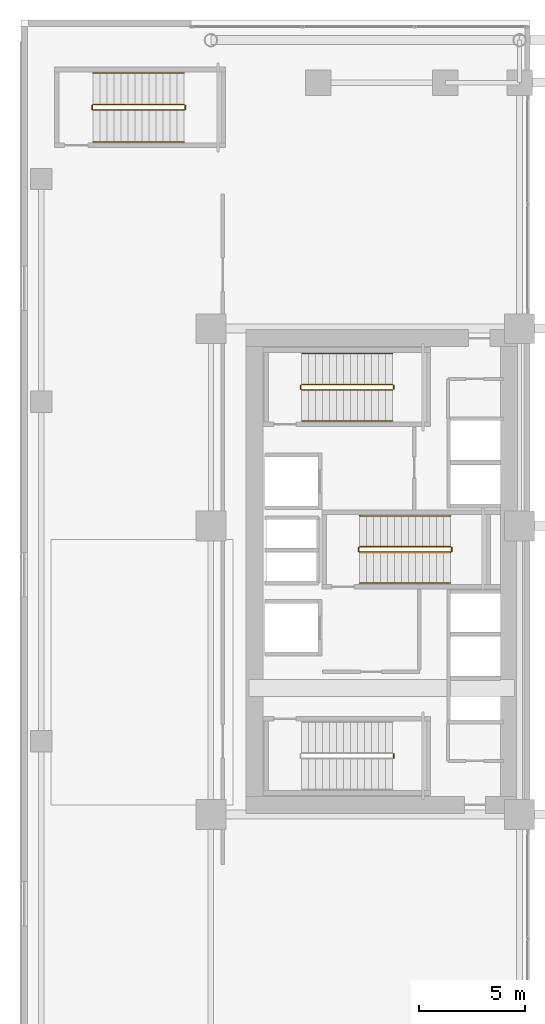
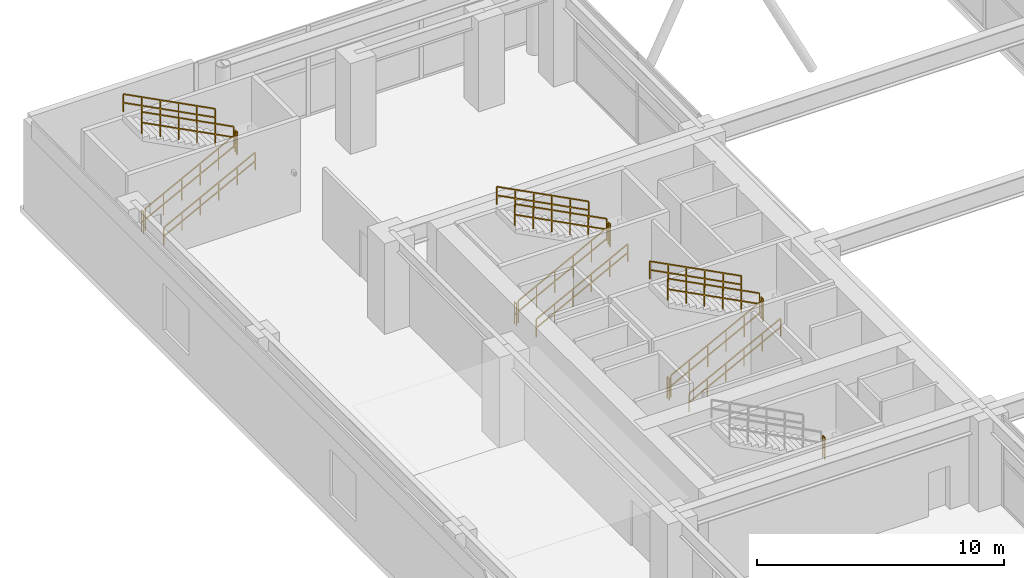
# One storey, part 28 of 30: 19 railings.
"""IFC4 building model written with IfcOpenShell, lengths in metres."""

from ifc_helpers import new_model, si_unit, direction, frame, origin, origin_2d, place, context, subcontext, project, spatial, rectangle, extrude, material, type_object, element, save


model = new_model("IFC4")

# Units and contexts
model_context = context("Model", 3, precision=1e-05, world=origin(), true_north=direction((0.0, 1.0)))
body_context = subcontext(model_context, "Body", "Model", "MODEL_VIEW")
ifc_project = project(units=[si_unit("LENGTHUNIT", "METRE"), si_unit("AREAUNIT", "SQUARE_METRE"), si_unit("VOLUMEUNIT", "CUBIC_METRE"), si_unit("PLANEANGLEUNIT", "RADIAN"), si_unit("MASSUNIT", "GRAM", prefix="KILO")], contexts=[model_context])

# Site, building, storey
site_placement = place(None, origin())
site = spatial("IfcSite", under=ifc_project, at=site_placement, CompositionType="ELEMENT")
building_placement = place(site_placement, origin())
building = spatial("IfcBuilding", under=site, at=building_placement, Name="Ocotamira Hotel", CompositionType="ELEMENT")
storey_placement = place(building_placement, frame((0.0, 0.0, 19.199951171875)))
storey = spatial("IfcBuildingStorey", under=building, at=storey_placement, Name="L04", CompositionType="ELEMENT", Elevation=19.199951171875)

# Railings
ifc_material_1 = material(Name="Brushed stainless steel handrail", Category="steel")
railing_type_1 = type_object("IfcRailingType", Name="RL-HAND-900", PredefinedType="HANDRAIL", material=ifc_material_1)
railing_1_placement = place(storey_placement, frame((13.22998046875, 33.10009765625, 0.343017578125)))
element("IfcRailing", 1, at=railing_1_placement, inside=storey, type_object=railing_type_1, Name="L04 ST-2 stair handrail 1", PredefinedType="HANDRAIL", context=body_context, shape_type="SweptSolid", body=[
    extrude(rectangle(XDim=0.048095703125, YDim=0.048095703125, at=origin_2d()), frame((0.0, 0.0, 0.8759765625), z_axis=(0.887411858541, 0.0, 0.46097743255), x_axis=(0.0, 1.0, 0.0)), (0.0, 0.0, 1.0), 4.834228515625),
    extrude(rectangle(XDim=0.048095703125, YDim=0.048095703125, at=origin_2d()), frame((0.0, 0.0, 0.449951171875), z_axis=(0.887411858541, 0.0, 0.46097743255), x_axis=(0.0, 1.0, 0.0)), (0.0, 0.0, 1.0), 4.834228515625),
    extrude(rectangle(XDim=0.0419921875, YDim=0.0419921875, at=origin_2d()), origin(), (0.0, 0.0, 1.0), 0.851806640625),
    extrude(rectangle(XDim=0.0419921875, YDim=0.0419921875, at=origin_2d()), frame((0.85791015625, 0.0, 0.44580078125)), (0.0, 0.0, 1.0), 0.851806640625),
    extrude(rectangle(XDim=0.0419921875, YDim=0.0419921875, at=origin_2d()), frame((1.716064453125, 0.0, 0.891357421875)), (0.0, 0.0, 1.0), 0.851806640625),
    extrude(rectangle(XDim=0.0419921875, YDim=0.0419921875, at=origin_2d()), frame((2.573974609375, 0.0, 1.337158203125)), (0.0, 0.0, 1.0), 0.851806640625),
    extrude(rectangle(XDim=0.0419921875, YDim=0.0419921875, at=origin_2d()), frame((3.43212890625, 0.0, 1.78271484375)), (0.0, 0.0, 1.0), 0.851806640625),
    extrude(rectangle(XDim=0.0419921875, YDim=0.0419921875, at=origin_2d()), frame((4.2900390625, 0.0, 2.228515625)), (0.0, 0.0, 1.0), 0.851806640625),
])
railing_2_placement = place(storey_placement, frame((17.52001953125, 36.280029296875, 2.742919921875)))
element("IfcRailing", 2, at=railing_2_placement, inside=storey, type_object=railing_type_1, Name="L04 ST-2 stair handrail 2", PredefinedType="HANDRAIL", context=body_context, shape_type="SweptSolid", body=[
    extrude(rectangle(XDim=0.048095703125, YDim=0.048095703125, at=origin_2d()), frame((0.0, 0.0, 0.8759765625), z_axis=(-0.887411858541, 0.0, 0.46097743255), x_axis=(0.0, -1.0, 0.0)), (0.0, 0.0, 1.0), 4.834228515625),
    extrude(rectangle(XDim=0.048095703125, YDim=0.048095703125, at=origin_2d()), frame((0.0, 0.0, 0.449951171875), z_axis=(-0.887411858541, 0.0, 0.46097743255), x_axis=(0.0, -1.0, 0.0)), (0.0, 0.0, 1.0), 4.834228515625),
    extrude(rectangle(XDim=0.0419921875, YDim=0.0419921875, at=origin_2d()), origin(), (0.0, 0.0, 1.0), 0.851806640625),
    extrude(rectangle(XDim=0.0419921875, YDim=0.0419921875, at=origin_2d()), frame((-0.85791015625, 0.0, 0.44580078125)), (0.0, 0.0, 1.0), 0.851806640625),
    extrude(rectangle(XDim=0.0419921875, YDim=0.0419921875, at=origin_2d()), frame((-1.716064453125, 0.0, 0.891357421875)), (0.0, 0.0, 1.0), 0.851806640625),
    extrude(rectangle(XDim=0.0419921875, YDim=0.0419921875, at=origin_2d()), frame((-2.573974609375, 0.0, 1.337158203125)), (0.0, 0.0, 1.0), 0.851806640625),
    extrude(rectangle(XDim=0.0419921875, YDim=0.0419921875, at=origin_2d()), frame((-3.43212890625, 0.0, 1.78271484375)), (0.0, 0.0, 1.0), 0.851806640625),
    extrude(rectangle(XDim=0.0419921875, YDim=0.0419921875, at=origin_2d()), frame((-4.2900390625, 0.0, 2.228515625)), (0.0, 0.0, 1.0), 0.851806640625),
])
railing_3_placement = place(storey_placement, frame((15.9599609375, 25.449951171875, 0.343017578125)))
element("IfcRailing", 3, at=railing_3_placement, inside=storey, type_object=railing_type_1, Name="L04 ST-3 stair handrail 1", PredefinedType="HANDRAIL", context=body_context, shape_type="SweptSolid", body=[
    extrude(rectangle(XDim=0.048095703125, YDim=0.048095703125, at=origin_2d()), frame((0.0, 0.0, 0.8759765625), z_axis=(0.887411858541, 0.0, 0.46097743255), x_axis=(0.0, 1.0, 0.0)), (0.0, 0.0, 1.0), 4.834228515625),
    extrude(rectangle(XDim=0.048095703125, YDim=0.048095703125, at=origin_2d()), frame((0.0, 0.0, 0.449951171875), z_axis=(0.887411858541, 0.0, 0.46097743255), x_axis=(0.0, 1.0, 0.0)), (0.0, 0.0, 1.0), 4.834228515625),
    extrude(rectangle(XDim=0.0419921875, YDim=0.0419921875, at=origin_2d()), origin(), (0.0, 0.0, 1.0), 0.851806640625),
    extrude(rectangle(XDim=0.0419921875, YDim=0.0419921875, at=origin_2d()), frame((0.85791015625, 0.0, 0.44580078125)), (0.0, 0.0, 1.0), 0.851806640625),
    extrude(rectangle(XDim=0.0419921875, YDim=0.0419921875, at=origin_2d()), frame((1.716064453125, 0.0, 0.891357421875)), (0.0, 0.0, 1.0), 0.851806640625),
    extrude(rectangle(XDim=0.0419921875, YDim=0.0419921875, at=origin_2d()), frame((2.573974609375, 0.0, 1.337158203125)), (0.0, 0.0, 1.0), 0.851806640625),
    extrude(rectangle(XDim=0.0419921875, YDim=0.0419921875, at=origin_2d()), frame((3.43212890625, 0.0, 1.78271484375)), (0.0, 0.0, 1.0), 0.851806640625),
    extrude(rectangle(XDim=0.0419921875, YDim=0.0419921875, at=origin_2d()), frame((4.2900390625, 0.0, 2.228515625)), (0.0, 0.0, 1.0), 0.851806640625),
])
railing_4_placement = place(storey_placement, frame((20.25, 28.6298828125, 2.742919921875)))
element("IfcRailing", 4, at=railing_4_placement, inside=storey, type_object=railing_type_1, Name="L04 ST-3 stair handrail 2", PredefinedType="HANDRAIL", context=body_context, shape_type="SweptSolid", body=[
    extrude(rectangle(XDim=0.048095703125, YDim=0.048095703125, at=origin_2d()), frame((0.0, 0.0, 0.8759765625), z_axis=(-0.887411858541, 0.0, 0.46097743255), x_axis=(0.0, -1.0, 0.0)), (0.0, 0.0, 1.0), 4.834228515625),
    extrude(rectangle(XDim=0.048095703125, YDim=0.048095703125, at=origin_2d()), frame((0.0, 0.0, 0.449951171875), z_axis=(-0.887411858541, 0.0, 0.46097743255), x_axis=(0.0, -1.0, 0.0)), (0.0, 0.0, 1.0), 4.834228515625),
    extrude(rectangle(XDim=0.0419921875, YDim=0.0419921875, at=origin_2d()), origin(), (0.0, 0.0, 1.0), 0.851806640625),
    extrude(rectangle(XDim=0.0419921875, YDim=0.0419921875, at=origin_2d()), frame((-0.85791015625, 0.0, 0.44580078125)), (0.0, 0.0, 1.0), 0.851806640625),
    extrude(rectangle(XDim=0.0419921875, YDim=0.0419921875, at=origin_2d()), frame((-1.716064453125, 0.0, 0.891357421875)), (0.0, 0.0, 1.0), 0.851806640625),
    extrude(rectangle(XDim=0.0419921875, YDim=0.0419921875, at=origin_2d()), frame((-2.573974609375, 0.0, 1.337158203125)), (0.0, 0.0, 1.0), 0.851806640625),
    extrude(rectangle(XDim=0.0419921875, YDim=0.0419921875, at=origin_2d()), frame((-3.43212890625, 0.0, 1.78271484375)), (0.0, 0.0, 1.0), 0.851806640625),
    extrude(rectangle(XDim=0.0419921875, YDim=0.0419921875, at=origin_2d()), frame((-4.2900390625, 0.0, 2.228515625)), (0.0, 0.0, 1.0), 0.851806640625),
])
railing_5_placement = place(storey_placement, frame((3.39990234375, 46.25, 0.343017578125)))
element("IfcRailing", 5, at=railing_5_placement, inside=storey, type_object=railing_type_1, Name="L04 ST-5 stair handrail 1", PredefinedType="HANDRAIL", context=body_context, shape_type="SweptSolid", body=[
    extrude(rectangle(XDim=0.048095703125, YDim=0.048095703125, at=origin_2d()), frame((0.0, 0.0, 0.8759765625), z_axis=(0.887411858541, 0.0, 0.46097743255), x_axis=(0.0, 1.0, 0.0)), (0.0, 0.0, 1.0), 4.834228515625),
    extrude(rectangle(XDim=0.048095703125, YDim=0.048095703125, at=origin_2d()), frame((0.0, 0.0, 0.449951171875), z_axis=(0.887411858541, 0.0, 0.46097743255), x_axis=(0.0, 1.0, 0.0)), (0.0, 0.0, 1.0), 4.834228515625),
    extrude(rectangle(XDim=0.0419921875, YDim=0.0419921875, at=origin_2d()), origin(), (0.0, 0.0, 1.0), 0.851806640625),
    extrude(rectangle(XDim=0.0419921875, YDim=0.0419921875, at=origin_2d()), frame((0.85791015625, 0.0, 0.44580078125)), (0.0, 0.0, 1.0), 0.851806640625),
    extrude(rectangle(XDim=0.0419921875, YDim=0.0419921875, at=origin_2d()), frame((1.716064453125, 0.0, 0.891357421875)), (0.0, 0.0, 1.0), 0.851806640625),
    extrude(rectangle(XDim=0.0419921875, YDim=0.0419921875, at=origin_2d()), frame((2.573974609375, 0.0, 1.337158203125)), (0.0, 0.0, 1.0), 0.851806640625),
    extrude(rectangle(XDim=0.0419921875, YDim=0.0419921875, at=origin_2d()), frame((3.43212890625, 0.0, 1.78271484375)), (0.0, 0.0, 1.0), 0.851806640625),
    extrude(rectangle(XDim=0.0419921875, YDim=0.0419921875, at=origin_2d()), frame((4.2900390625, 0.0, 2.228515625)), (0.0, 0.0, 1.0), 0.851806640625),
])
railing_6_placement = place(storey_placement, frame((7.68994140625, 49.510009765625, 2.742919921875)))
element("IfcRailing", 6, at=railing_6_placement, inside=storey, type_object=railing_type_1, Name="L04 ST-5 stair handrail 2", PredefinedType="HANDRAIL", context=body_context, shape_type="SweptSolid", body=[
    extrude(rectangle(XDim=0.048095703125, YDim=0.048095703125, at=origin_2d()), frame((0.0, 0.0, 0.8759765625), z_axis=(-0.887411858541, 0.0, 0.46097743255), x_axis=(0.0, -1.0, 0.0)), (0.0, 0.0, 1.0), 4.834228515625),
    extrude(rectangle(XDim=0.048095703125, YDim=0.048095703125, at=origin_2d()), frame((0.0, 0.0, 0.449951171875), z_axis=(-0.887411858541, 0.0, 0.46097743255), x_axis=(0.0, -1.0, 0.0)), (0.0, 0.0, 1.0), 4.834228515625),
    extrude(rectangle(XDim=0.0419921875, YDim=0.0419921875, at=origin_2d()), origin(), (0.0, 0.0, 1.0), 0.851806640625),
    extrude(rectangle(XDim=0.0419921875, YDim=0.0419921875, at=origin_2d()), frame((-0.85791015625, 0.0, 0.44580078125)), (0.0, 0.0, 1.0), 0.851806640625),
    extrude(rectangle(XDim=0.0419921875, YDim=0.0419921875, at=origin_2d()), frame((-1.716064453125, 0.0, 0.891357421875)), (0.0, 0.0, 1.0), 0.851806640625),
    extrude(rectangle(XDim=0.0419921875, YDim=0.0419921875, at=origin_2d()), frame((-2.573974609375, 0.0, 1.337158203125)), (0.0, 0.0, 1.0), 0.851806640625),
    extrude(rectangle(XDim=0.0419921875, YDim=0.0419921875, at=origin_2d()), frame((-3.43212890625, 0.0, 1.78271484375)), (0.0, 0.0, 1.0), 0.851806640625),
    extrude(rectangle(XDim=0.0419921875, YDim=0.0419921875, at=origin_2d()), frame((-4.2900390625, 0.0, 2.228515625)), (0.0, 0.0, 1.0), 0.851806640625),
])
ifc_material_2 = material(Name="Painted steel stair guardrail", Category="steel")
railing_type_2 = type_object("IfcRailingType", Name="RL-STAIR-1100", PredefinedType="GUARDRAIL", material=ifc_material_2)
railing_7_placement = place(storey_placement, frame((17.570068359375, 17.22998046875, 2.400146484375)))
element("IfcRailing", 7, at=railing_7_placement, inside=storey, type_object=railing_type_2, Name="L04 ST-1 stair guard 2", PredefinedType="GUARDRAIL", context=body_context, shape_type="SweptSolid", body=[
    extrude(rectangle(XDim=0.048095703125, YDim=0.048095703125, at=origin_2d()), frame((0.0, 0.0, 1.076171875), z_axis=(0.0, 1.0, 0.0), x_axis=(-1.0, 0.0, 0.0)), (0.0, 0.0, 1.0), 0.159912109375),
    extrude(rectangle(XDim=0.048095703125, YDim=0.048095703125, at=origin_2d()), frame((0.0, 0.0, 0.550048828125), z_axis=(0.0, 1.0, 0.0), x_axis=(-1.0, 0.0, 0.0)), (0.0, 0.0, 1.0), 0.159912109375),
    extrude(rectangle(XDim=0.0419921875, YDim=0.0419921875, at=origin_2d()), origin(), (0.0, 0.0, 1.0), 1.052001953125),
    extrude(rectangle(XDim=0.0419921875, YDim=0.0419921875, at=origin_2d()), frame((0.0, 0.159912109375, 0.0)), (0.0, 0.0, 1.0), 1.052001953125),
])
railing_8_placement = place(storey_placement, frame((13.22998046875, 34.56005859375, 0.17138671875)))
element("IfcRailing", 8, at=railing_8_placement, inside=storey, type_object=railing_type_2, Name="L04 ST-2 stair guard 1", PredefinedType="GUARDRAIL", context=body_context, shape_type="SweptSolid", body=[
    extrude(rectangle(XDim=0.048095703125, YDim=0.048095703125, at=origin_2d()), frame((0.0, 0.0, 1.076171875), z_axis=(0.887391199149, 0.0, 0.46101720106), x_axis=(0.0, 1.0, 0.0)), (0.0, 0.0, 1.0), 4.83447265625),
    extrude(rectangle(XDim=0.048095703125, YDim=0.048095703125, at=origin_2d()), frame((0.0, 0.0, 0.550048828125), z_axis=(0.887391199149, 0.0, 0.46101720106), x_axis=(0.0, 1.0, 0.0)), (0.0, 0.0, 1.0), 4.83447265625),
    extrude(rectangle(XDim=0.0419921875, YDim=0.0419921875, at=origin_2d()), origin(), (0.0, 0.0, 1.0), 1.052001953125),
    extrude(rectangle(XDim=0.0419921875, YDim=0.0419921875, at=origin_2d()), frame((0.85791015625, 0.0, 0.44580078125)), (0.0, 0.0, 1.0), 1.052001953125),
    extrude(rectangle(XDim=0.0419921875, YDim=0.0419921875, at=origin_2d()), frame((1.716064453125, 0.0, 0.8916015625)), (0.0, 0.0, 1.0), 1.052001953125),
    extrude(rectangle(XDim=0.0419921875, YDim=0.0419921875, at=origin_2d()), frame((2.573974609375, 0.0, 1.337158203125)), (0.0, 0.0, 1.0), 1.052001953125),
    extrude(rectangle(XDim=0.0419921875, YDim=0.0419921875, at=origin_2d()), frame((3.43212890625, 0.0, 1.782958984375)), (0.0, 0.0, 1.0), 1.052001953125),
    extrude(rectangle(XDim=0.0419921875, YDim=0.0419921875, at=origin_2d()), frame((4.2900390625, 0.0, 2.228759765625)), (0.0, 0.0, 1.0), 1.052001953125),
])
railing_9_placement = place(storey_placement, frame((17.570068359375, 34.610107421875, 2.400146484375)))
element("IfcRailing", 9, at=railing_9_placement, inside=storey, type_object=railing_type_2, Name="L04 ST-2 stair guard 2", PredefinedType="GUARDRAIL", context=body_context, shape_type="SweptSolid", body=[
    extrude(rectangle(XDim=0.048095703125, YDim=0.048095703125, at=origin_2d()), frame((0.0, 0.0, 1.076171875), z_axis=(0.0, 1.0, 0.0), x_axis=(-1.0, 0.0, 0.0)), (0.0, 0.0, 1.0), 0.159912109375),
    extrude(rectangle(XDim=0.048095703125, YDim=0.048095703125, at=origin_2d()), frame((0.0, 0.0, 0.550048828125), z_axis=(0.0, 1.0, 0.0), x_axis=(-1.0, 0.0, 0.0)), (0.0, 0.0, 1.0), 0.159912109375),
    extrude(rectangle(XDim=0.0419921875, YDim=0.0419921875, at=origin_2d()), origin(), (0.0, 0.0, 1.0), 1.052001953125),
    extrude(rectangle(XDim=0.0419921875, YDim=0.0419921875, at=origin_2d()), frame((0.0, 0.159912109375, 0.0)), (0.0, 0.0, 1.0), 1.052001953125),
])
railing_10_placement = place(storey_placement, frame((17.52001953125, 34.820068359375, 2.571533203125)))
element("IfcRailing", 10, at=railing_10_placement, inside=storey, type_object=railing_type_2, Name="L04 ST-2 stair guard 3", PredefinedType="GUARDRAIL", context=body_context, shape_type="SweptSolid", body=[
    extrude(rectangle(XDim=0.048095703125, YDim=0.048095703125, at=origin_2d()), frame((0.0, 0.0, 1.076171875), z_axis=(-0.887411858541, 0.0, 0.46097743255), x_axis=(0.0, -1.0, 0.0)), (0.0, 0.0, 1.0), 4.834228515625),
    extrude(rectangle(XDim=0.048095703125, YDim=0.048095703125, at=origin_2d()), frame((0.0, 0.0, 0.550048828125), z_axis=(-0.887411858541, 0.0, 0.46097743255), x_axis=(0.0, -1.0, 0.0)), (0.0, 0.0, 1.0), 4.834228515625),
    extrude(rectangle(XDim=0.0419921875, YDim=0.0419921875, at=origin_2d()), origin(), (0.0, 0.0, 1.0), 1.052001953125),
    extrude(rectangle(XDim=0.0419921875, YDim=0.0419921875, at=origin_2d()), frame((-0.85791015625, 0.0, 0.44580078125)), (0.0, 0.0, 1.0), 1.052001953125),
    extrude(rectangle(XDim=0.0419921875, YDim=0.0419921875, at=origin_2d()), frame((-1.716064453125, 0.0, 0.891357421875)), (0.0, 0.0, 1.0), 1.052001953125),
    extrude(rectangle(XDim=0.0419921875, YDim=0.0419921875, at=origin_2d()), frame((-2.573974609375, 0.0, 1.337158203125)), (0.0, 0.0, 1.0), 1.052001953125),
    extrude(rectangle(XDim=0.0419921875, YDim=0.0419921875, at=origin_2d()), frame((-3.43212890625, 0.0, 1.78271484375)), (0.0, 0.0, 1.0), 1.052001953125),
    extrude(rectangle(XDim=0.0419921875, YDim=0.0419921875, at=origin_2d()), frame((-4.2900390625, 0.0, 2.228515625)), (0.0, 0.0, 1.0), 1.052001953125),
])
railing_11_placement = place(storey_placement, frame((13.179931640625, 34.610107421875, 0.0)))
element("IfcRailing", 11, at=railing_11_placement, inside=storey, type_object=railing_type_2, Name="L04 ST-2 stair guard 4", PredefinedType="GUARDRAIL", context=body_context, shape_type="SweptSolid", body=[
    extrude(rectangle(XDim=0.048095703125, YDim=0.048095703125, at=origin_2d()), frame((0.0, 0.0, 1.076171875), z_axis=(0.0, 1.0, 0.0), x_axis=(-1.0, 0.0, 0.0)), (0.0, 0.0, 1.0), 0.159912109375),
    extrude(rectangle(XDim=0.048095703125, YDim=0.048095703125, at=origin_2d()), frame((0.0, 0.0, 0.550048828125), z_axis=(0.0, 1.0, 0.0), x_axis=(-1.0, 0.0, 0.0)), (0.0, 0.0, 1.0), 0.159912109375),
    extrude(rectangle(XDim=0.0419921875, YDim=0.0419921875, at=origin_2d()), origin(), (0.0, 0.0, 1.0), 1.052001953125),
    extrude(rectangle(XDim=0.0419921875, YDim=0.0419921875, at=origin_2d()), frame((0.0, 0.159912109375, 0.0)), (0.0, 0.0, 1.0), 1.052001953125),
])
railing_12_placement = place(storey_placement, frame((15.9599609375, 26.909912109375, 0.17138671875)))
element("IfcRailing", 12, at=railing_12_placement, inside=storey, type_object=railing_type_2, Name="L04 ST-3 stair guard 1", PredefinedType="GUARDRAIL", context=body_context, shape_type="SweptSolid", body=[
    extrude(rectangle(XDim=0.048095703125, YDim=0.048095703125, at=origin_2d()), frame((0.0, 0.0, 1.076171875), z_axis=(0.887391199149, 0.0, 0.46101720106), x_axis=(0.0, 1.0, 0.0)), (0.0, 0.0, 1.0), 4.83447265625),
    extrude(rectangle(XDim=0.048095703125, YDim=0.048095703125, at=origin_2d()), frame((0.0, 0.0, 0.550048828125), z_axis=(0.887391199149, 0.0, 0.46101720106), x_axis=(0.0, 1.0, 0.0)), (0.0, 0.0, 1.0), 4.83447265625),
    extrude(rectangle(XDim=0.0419921875, YDim=0.0419921875, at=origin_2d()), origin(), (0.0, 0.0, 1.0), 1.052001953125),
    extrude(rectangle(XDim=0.0419921875, YDim=0.0419921875, at=origin_2d()), frame((0.85791015625, 0.0, 0.44580078125)), (0.0, 0.0, 1.0), 1.052001953125),
    extrude(rectangle(XDim=0.0419921875, YDim=0.0419921875, at=origin_2d()), frame((1.716064453125, 0.0, 0.8916015625)), (0.0, 0.0, 1.0), 1.052001953125),
    extrude(rectangle(XDim=0.0419921875, YDim=0.0419921875, at=origin_2d()), frame((2.573974609375, 0.0, 1.337158203125)), (0.0, 0.0, 1.0), 1.052001953125),
    extrude(rectangle(XDim=0.0419921875, YDim=0.0419921875, at=origin_2d()), frame((3.43212890625, 0.0, 1.782958984375)), (0.0, 0.0, 1.0), 1.052001953125),
    extrude(rectangle(XDim=0.0419921875, YDim=0.0419921875, at=origin_2d()), frame((4.2900390625, 0.0, 2.228759765625)), (0.0, 0.0, 1.0), 1.052001953125),
])
railing_13_placement = place(storey_placement, frame((20.300048828125, 26.9599609375, 2.400146484375)))
element("IfcRailing", 13, at=railing_13_placement, inside=storey, type_object=railing_type_2, Name="L04 ST-3 stair guard 2", PredefinedType="GUARDRAIL", context=body_context, shape_type="SweptSolid", body=[
    extrude(rectangle(XDim=0.048095703125, YDim=0.048095703125, at=origin_2d()), frame((0.0, 0.0, 1.076171875), z_axis=(0.0, 1.0, 0.0), x_axis=(-1.0, 0.0, 0.0)), (0.0, 0.0, 1.0), 0.16015625),
    extrude(rectangle(XDim=0.048095703125, YDim=0.048095703125, at=origin_2d()), frame((0.0, 0.0, 0.550048828125), z_axis=(0.0, 1.0, 0.0), x_axis=(-1.0, 0.0, 0.0)), (0.0, 0.0, 1.0), 0.16015625),
    extrude(rectangle(XDim=0.0419921875, YDim=0.0419921875, at=origin_2d()), origin(), (0.0, 0.0, 1.0), 1.052001953125),
    extrude(rectangle(XDim=0.0419921875, YDim=0.0419921875, at=origin_2d()), frame((0.0, 0.16015625, 0.0)), (0.0, 0.0, 1.0), 1.052001953125),
])
railing_14_placement = place(storey_placement, frame((20.25, 27.169921875, 2.571533203125)))
element("IfcRailing", 14, at=railing_14_placement, inside=storey, type_object=railing_type_2, Name="L04 ST-3 stair guard 3", PredefinedType="GUARDRAIL", context=body_context, shape_type="SweptSolid", body=[
    extrude(rectangle(XDim=0.048095703125, YDim=0.048095703125, at=origin_2d()), frame((0.0, 0.0, 1.076171875), z_axis=(-0.887411858541, 0.0, 0.46097743255), x_axis=(0.0, -1.0, 0.0)), (0.0, 0.0, 1.0), 4.834228515625),
    extrude(rectangle(XDim=0.048095703125, YDim=0.048095703125, at=origin_2d()), frame((0.0, 0.0, 0.550048828125), z_axis=(-0.887411858541, 0.0, 0.46097743255), x_axis=(0.0, -1.0, 0.0)), (0.0, 0.0, 1.0), 4.834228515625),
    extrude(rectangle(XDim=0.0419921875, YDim=0.0419921875, at=origin_2d()), origin(), (0.0, 0.0, 1.0), 1.052001953125),
    extrude(rectangle(XDim=0.0419921875, YDim=0.0419921875, at=origin_2d()), frame((-0.85791015625, 0.0, 0.44580078125)), (0.0, 0.0, 1.0), 1.052001953125),
    extrude(rectangle(XDim=0.0419921875, YDim=0.0419921875, at=origin_2d()), frame((-1.716064453125, 0.0, 0.891357421875)), (0.0, 0.0, 1.0), 1.052001953125),
    extrude(rectangle(XDim=0.0419921875, YDim=0.0419921875, at=origin_2d()), frame((-2.573974609375, 0.0, 1.337158203125)), (0.0, 0.0, 1.0), 1.052001953125),
    extrude(rectangle(XDim=0.0419921875, YDim=0.0419921875, at=origin_2d()), frame((-3.43212890625, 0.0, 1.78271484375)), (0.0, 0.0, 1.0), 1.052001953125),
    extrude(rectangle(XDim=0.0419921875, YDim=0.0419921875, at=origin_2d()), frame((-4.2900390625, 0.0, 2.228515625)), (0.0, 0.0, 1.0), 1.052001953125),
])
railing_15_placement = place(storey_placement, frame((15.909912109375, 26.9599609375, 0.0)))
element("IfcRailing", 15, at=railing_15_placement, inside=storey, type_object=railing_type_2, Name="L04 ST-3 stair guard 4", PredefinedType="GUARDRAIL", context=body_context, shape_type="SweptSolid", body=[
    extrude(rectangle(XDim=0.048095703125, YDim=0.048095703125, at=origin_2d()), frame((0.0, 0.0, 1.076171875), z_axis=(0.0, 1.0, 0.0), x_axis=(-1.0, 0.0, 0.0)), (0.0, 0.0, 1.0), 0.16015625),
    extrude(rectangle(XDim=0.048095703125, YDim=0.048095703125, at=origin_2d()), frame((0.0, 0.0, 0.550048828125), z_axis=(0.0, 1.0, 0.0), x_axis=(-1.0, 0.0, 0.0)), (0.0, 0.0, 1.0), 0.16015625),
    extrude(rectangle(XDim=0.0419921875, YDim=0.0419921875, at=origin_2d()), origin(), (0.0, 0.0, 1.0), 1.052001953125),
    extrude(rectangle(XDim=0.0419921875, YDim=0.0419921875, at=origin_2d()), frame((0.0, 0.16015625, 0.0)), (0.0, 0.0, 1.0), 1.052001953125),
])
railing_16_placement = place(storey_placement, frame((3.39990234375, 47.75, 0.17138671875)))
element("IfcRailing", 16, at=railing_16_placement, inside=storey, type_object=railing_type_2, Name="L04 ST-5 stair guard 1", PredefinedType="GUARDRAIL", context=body_context, shape_type="SweptSolid", body=[
    extrude(rectangle(XDim=0.048095703125, YDim=0.048095703125, at=origin_2d()), frame((0.0, 0.0, 1.076171875), z_axis=(0.887391199149, 0.0, 0.46101720106), x_axis=(0.0, 1.0, 0.0)), (0.0, 0.0, 1.0), 4.83447265625),
    extrude(rectangle(XDim=0.048095703125, YDim=0.048095703125, at=origin_2d()), frame((0.0, 0.0, 0.550048828125), z_axis=(0.887391199149, 0.0, 0.46101720106), x_axis=(0.0, 1.0, 0.0)), (0.0, 0.0, 1.0), 4.83447265625),
    extrude(rectangle(XDim=0.0419921875, YDim=0.0419921875, at=origin_2d()), origin(), (0.0, 0.0, 1.0), 1.052001953125),
    extrude(rectangle(XDim=0.0419921875, YDim=0.0419921875, at=origin_2d()), frame((0.85791015625, 0.0, 0.44580078125)), (0.0, 0.0, 1.0), 1.052001953125),
    extrude(rectangle(XDim=0.0419921875, YDim=0.0419921875, at=origin_2d()), frame((1.716064453125, 0.0, 0.8916015625)), (0.0, 0.0, 1.0), 1.052001953125),
    extrude(rectangle(XDim=0.0419921875, YDim=0.0419921875, at=origin_2d()), frame((2.573974609375, 0.0, 1.337158203125)), (0.0, 0.0, 1.0), 1.052001953125),
    extrude(rectangle(XDim=0.0419921875, YDim=0.0419921875, at=origin_2d()), frame((3.43212890625, 0.0, 1.782958984375)), (0.0, 0.0, 1.0), 1.052001953125),
    extrude(rectangle(XDim=0.0419921875, YDim=0.0419921875, at=origin_2d()), frame((4.2900390625, 0.0, 2.228759765625)), (0.0, 0.0, 1.0), 1.052001953125),
])
railing_17_placement = place(storey_placement, frame((7.739990234375, 47.800048828125, 2.400146484375)))
element("IfcRailing", 17, at=railing_17_placement, inside=storey, type_object=railing_type_2, Name="L04 ST-5 stair guard 2", PredefinedType="GUARDRAIL", context=body_context, shape_type="SweptSolid", body=[
    extrude(rectangle(XDim=0.048095703125, YDim=0.048095703125, at=origin_2d()), frame((0.0, 0.0, 1.076171875), z_axis=(0.0, 1.0, 0.0), x_axis=(-1.0, 0.0, 0.0)), (0.0, 0.0, 1.0), 0.159912109375),
    extrude(rectangle(XDim=0.048095703125, YDim=0.048095703125, at=origin_2d()), frame((0.0, 0.0, 0.550048828125), z_axis=(0.0, 1.0, 0.0), x_axis=(-1.0, 0.0, 0.0)), (0.0, 0.0, 1.0), 0.159912109375),
    extrude(rectangle(XDim=0.0419921875, YDim=0.0419921875, at=origin_2d()), origin(), (0.0, 0.0, 1.0), 1.052001953125),
    extrude(rectangle(XDim=0.0419921875, YDim=0.0419921875, at=origin_2d()), frame((0.0, 0.159912109375, 0.0)), (0.0, 0.0, 1.0), 1.052001953125),
])
railing_18_placement = place(storey_placement, frame((7.68994140625, 48.010009765625, 2.571533203125)))
element("IfcRailing", 18, at=railing_18_placement, inside=storey, type_object=railing_type_2, Name="L04 ST-5 stair guard 3", PredefinedType="GUARDRAIL", context=body_context, shape_type="SweptSolid", body=[
    extrude(rectangle(XDim=0.048095703125, YDim=0.048095703125, at=origin_2d()), frame((0.0, 0.0, 1.076171875), z_axis=(-0.887411858541, 0.0, 0.46097743255), x_axis=(0.0, -1.0, 0.0)), (0.0, 0.0, 1.0), 4.834228515625),
    extrude(rectangle(XDim=0.048095703125, YDim=0.048095703125, at=origin_2d()), frame((0.0, 0.0, 0.550048828125), z_axis=(-0.887411858541, 0.0, 0.46097743255), x_axis=(0.0, -1.0, 0.0)), (0.0, 0.0, 1.0), 4.834228515625),
    extrude(rectangle(XDim=0.0419921875, YDim=0.0419921875, at=origin_2d()), origin(), (0.0, 0.0, 1.0), 1.052001953125),
    extrude(rectangle(XDim=0.0419921875, YDim=0.0419921875, at=origin_2d()), frame((-0.85791015625, 0.0, 0.44580078125)), (0.0, 0.0, 1.0), 1.052001953125),
    extrude(rectangle(XDim=0.0419921875, YDim=0.0419921875, at=origin_2d()), frame((-1.716064453125, 0.0, 0.891357421875)), (0.0, 0.0, 1.0), 1.052001953125),
    extrude(rectangle(XDim=0.0419921875, YDim=0.0419921875, at=origin_2d()), frame((-2.573974609375, 0.0, 1.337158203125)), (0.0, 0.0, 1.0), 1.052001953125),
    extrude(rectangle(XDim=0.0419921875, YDim=0.0419921875, at=origin_2d()), frame((-3.43212890625, 0.0, 1.78271484375)), (0.0, 0.0, 1.0), 1.052001953125),
    extrude(rectangle(XDim=0.0419921875, YDim=0.0419921875, at=origin_2d()), frame((-4.2900390625, 0.0, 2.228515625)), (0.0, 0.0, 1.0), 1.052001953125),
])
railing_19_placement = place(storey_placement, frame((3.35009765625, 47.800048828125, 0.0)))
element("IfcRailing", 19, at=railing_19_placement, inside=storey, type_object=railing_type_2, Name="L04 ST-5 stair guard 4", PredefinedType="GUARDRAIL", context=body_context, shape_type="SweptSolid", body=[
    extrude(rectangle(XDim=0.048095703125, YDim=0.048095703125, at=origin_2d()), frame((0.0, 0.0, 1.076171875), z_axis=(0.0, 1.0, 0.0), x_axis=(-1.0, 0.0, 0.0)), (0.0, 0.0, 1.0), 0.159912109375),
    extrude(rectangle(XDim=0.048095703125, YDim=0.048095703125, at=origin_2d()), frame((0.0, 0.0, 0.550048828125), z_axis=(0.0, 1.0, 0.0), x_axis=(-1.0, 0.0, 0.0)), (0.0, 0.0, 1.0), 0.159912109375),
    extrude(rectangle(XDim=0.0419921875, YDim=0.0419921875, at=origin_2d()), origin(), (0.0, 0.0, 1.0), 1.052001953125),
    extrude(rectangle(XDim=0.0419921875, YDim=0.0419921875, at=origin_2d()), frame((0.0, 0.159912109375, 0.0)), (0.0, 0.0, 1.0), 1.052001953125),
])

save(model, "model.ifc")
